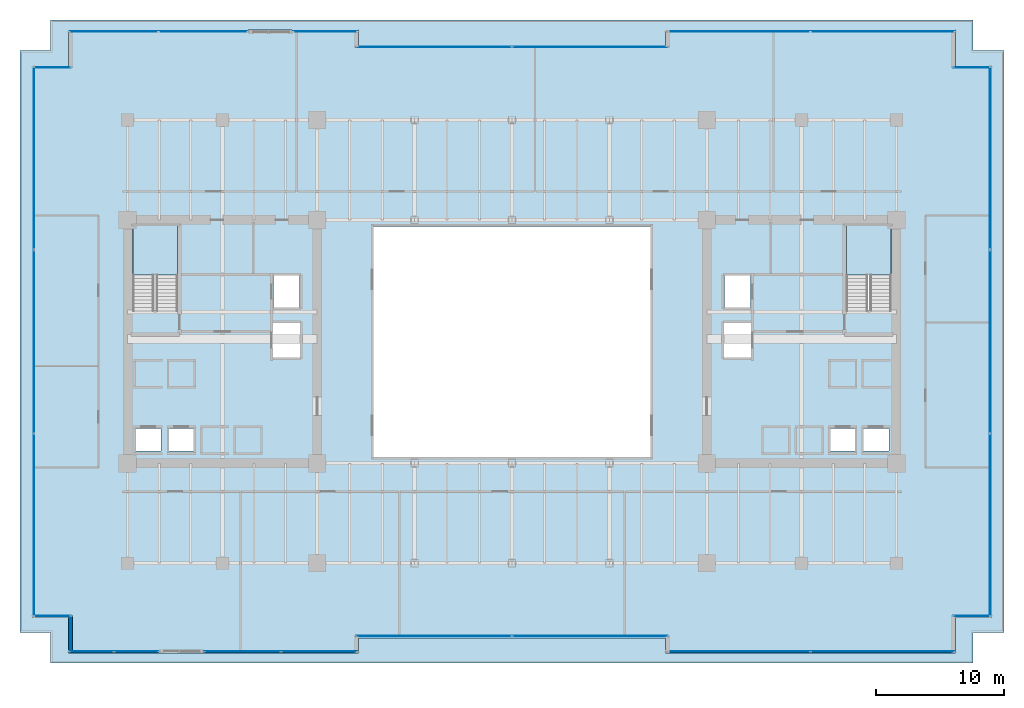
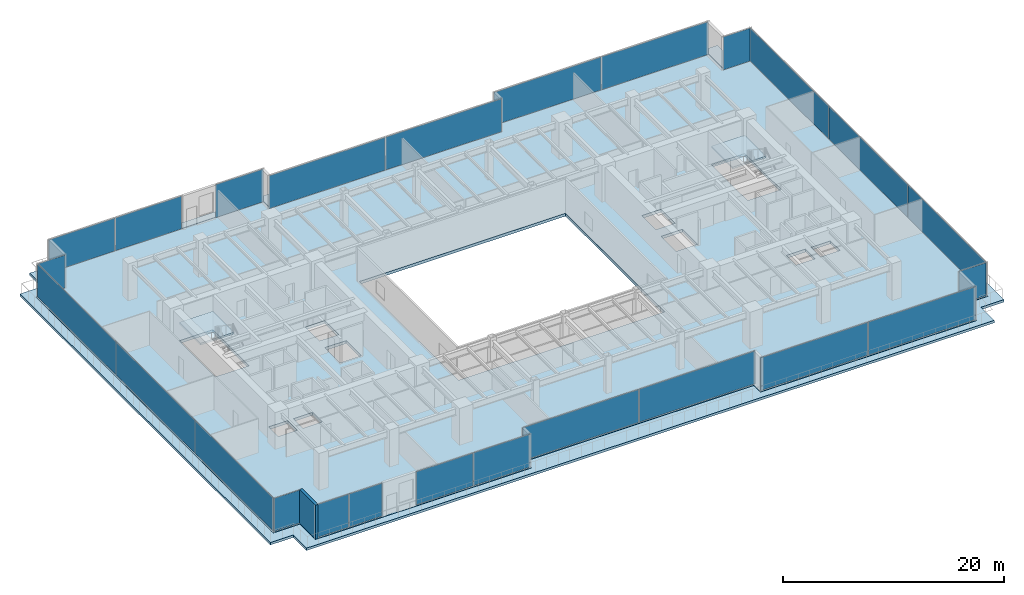
# One storey, part 28 of 36: 25 plates, 4 slabs, 1 wall, 16 elements without a shape of their own.
"""IFC4 building model written with IfcOpenShell, lengths in metres."""

from ifc_helpers import new_model, si_unit, direction, frame, frame_2d, origin, origin_2d, place, context, subcontext, project, spatial, polyline, rectangle, outline, extrude, source, transform, mapped, material, layer, layer_set, type_object, type_shapes, element, aggregate, save


model = new_model("IFC4")

# Units and contexts
model_context = context("Model", 3, precision=1e-05, world=origin(), true_north=direction((0.0, 1.0)))
body_context = subcontext(model_context, "Body", "Model", "MODEL_VIEW")
ifc_project = project(units=[si_unit("LENGTHUNIT", "METRE"), si_unit("AREAUNIT", "SQUARE_METRE"), si_unit("VOLUMEUNIT", "CUBIC_METRE"), si_unit("PLANEANGLEUNIT", "RADIAN"), si_unit("MASSUNIT", "GRAM", prefix="KILO")], contexts=[model_context])

# Site, building, storey
site_placement = place(None, origin())
site = spatial("IfcSite", under=ifc_project, at=site_placement, CompositionType="ELEMENT")
building_placement = place(site_placement, origin())
building = spatial("IfcBuilding", under=site, at=building_placement, Name="Haelvirn Gate Laboratories", CompositionType="ELEMENT")
storey_placement = place(building_placement, frame((0.0, 0.0, 25.199951171875)))
storey = spatial("IfcBuildingStorey", under=building, at=storey_placement, Name="L06", CompositionType="ELEMENT", Elevation=25.199951171875)

# Slab
ifc_material_1 = material(Name="Concrete C40/50", Category="concrete")
ifc_layer_1 = layer(ifc_material_1, 0.27001953125, Name="SL-SETB-270")
ifc_layer_set_1 = layer_set([ifc_layer_1], Name="Concrete C40/50")
slab_type_1 = type_object("IfcSlabType", Name="SL-SETB-270", PredefinedType="ROOF", material=ifc_layer_set_1)
slab_1_placement = place(storey_placement, frame((0.0, 0.0, -0.27001953125)))
element("IfcSlab", 1, at=slab_1_placement, inside=storey, type_object=slab_type_1, Name="L06 Setback Roof Terrace Deck 1", PredefinedType="ROOF", context=body_context, shape_type="SweptSolid", body=[
    extrude(outline(polyline([(1.39990234375, 1.60009765625), (-1.0, 1.60009765625), (-1.0, 47.0), (1.39990234375, 47.0), (1.39990234375, 49.39990234375), (73.39990234375, 49.39990234375), (73.39990234375, 47.0), (75.800048828125, 47.0), (75.800048828125, 1.60009765625), (73.39990234375, 1.60009765625), (73.39990234375, -0.800048828125), (1.39990234375, -0.800048828125), (1.39990234375, 1.60009765625)]), holes=[polyline([(2.780029296875, -0.001953125), (2.780517578125, -0.00390625), (2.781005859375, -0.005859375), (2.781494140625, -0.0078125), (2.782470703125, -0.009521484375), (2.783447265625, -0.010986328125), (2.784423828125, -0.0126953125), (2.785888671875, -0.01416015625), (2.787353515625, -0.015380859375), (2.788818359375, -0.0166015625), (2.79052734375, -0.017578125), (2.792236328125, -0.0185546875), (2.794189453125, -0.01904296875), (2.796142578125, -0.01953125), (2.798095703125, -0.02001953125), (2.800048828125, -0.02001953125), (25.39990234375, -0.02001953125), (25.402099609375, -0.02001953125), (25.40380859375, -0.01953125), (25.40576171875, -0.01904296875), (25.40771484375, -0.0185546875), (25.409423828125, -0.017578125), (25.4111328125, -0.0166015625), (25.41259765625, -0.015380859375), (25.4140625, -0.01416015625), (25.41552734375, -0.0126953125), (25.41650390625, -0.010986328125), (25.41748046875, -0.009521484375), (25.41845703125, -0.0078125), (25.419189453125, -0.005859375), (25.419677734375, -0.00390625), (25.419921875, -0.001953125), (25.419921875, 0.0), (25.419921875, 1.179931640625), (49.3798828125, 1.179931640625), (49.3798828125, 0.0), (49.380126953125, -0.001953125), (49.38037109375, -0.00390625), (49.380859375, -0.005859375), (49.381591796875, -0.0078125), (49.38232421875, -0.009521484375), (49.38330078125, -0.010986328125), (49.384521484375, -0.0126953125), (49.385986328125, -0.01416015625), (49.38720703125, -0.015380859375), (49.388916015625, -0.0166015625), (49.390625, -0.017578125), (49.392333984375, -0.0185546875), (49.394287109375, -0.01904296875), (49.39599609375, -0.01953125), (49.39794921875, -0.02001953125), (49.39990234375, -0.02001953125), (72.0, -0.02001953125), (72.001953125, -0.02001953125), (72.00390625, -0.01953125), (72.005859375, -0.01904296875), (72.0078125, -0.0185546875), (72.009521484375, -0.017578125), (72.010986328125, -0.0166015625), (72.0126953125, -0.015380859375), (72.01416015625, -0.01416015625), (72.015380859375, -0.0126953125), (72.0166015625, -0.010986328125), (72.017578125, -0.009521484375), (72.0185546875, -0.0078125), (72.01904296875, -0.005859375), (72.01953125, -0.00390625), (72.02001953125, -0.001953125), (72.02001953125, 0.0), (72.02001953125, 2.780029296875), (74.800048828125, 2.780029296875), (74.802001953125, 2.780029296875), (74.803955078125, 2.780517578125), (74.805908203125, 2.781005859375), (74.8076171875, 2.781494140625), (74.809326171875, 2.782470703125), (74.81103515625, 2.783447265625), (74.812744140625, 2.784423828125), (74.814208984375, 2.785888671875), (74.8154296875, 2.787353515625), (74.816650390625, 2.788818359375), (74.817626953125, 2.79052734375), (74.818603515625, 2.792236328125), (74.819091796875, 2.794189453125), (74.819580078125, 2.796142578125), (74.81982421875, 2.798095703125), (74.820068359375, 2.800048828125), (74.820068359375, 45.800048828125), (74.81982421875, 45.802001953125), (74.819580078125, 45.803955078125), (74.819091796875, 45.805908203125), (74.818603515625, 45.8076171875), (74.817626953125, 45.809326171875), (74.816650390625, 45.81103515625), (74.8154296875, 45.812744140625), (74.814208984375, 45.814208984375), (74.812744140625, 45.8154296875), (74.81103515625, 45.816650390625), (74.809326171875, 45.817626953125), (74.8076171875, 45.818603515625), (74.805908203125, 45.819091796875), (74.803955078125, 45.819580078125), (74.802001953125, 45.81982421875), (74.800048828125, 45.820068359375), (72.02001953125, 45.820068359375), (72.02001953125, 48.60009765625), (72.02001953125, 48.60205078125), (72.01953125, 48.60400390625), (72.01904296875, 48.605712890625), (72.0185546875, 48.607666015625), (72.017578125, 48.609375), (72.0166015625, 48.611083984375), (72.015380859375, 48.61279296875), (72.01416015625, 48.614013671875), (72.0126953125, 48.615478515625), (72.010986328125, 48.61669921875), (72.009521484375, 48.61767578125), (72.0078125, 48.618408203125), (72.005859375, 48.619140625), (72.00390625, 48.61962890625), (72.001953125, 48.619873046875), (72.0, 48.6201171875), (49.39990234375, 48.6201171875), (49.39794921875, 48.619873046875), (49.39599609375, 48.61962890625), (49.394287109375, 48.619140625), (49.392333984375, 48.618408203125), (49.390625, 48.61767578125), (49.388916015625, 48.61669921875), (49.38720703125, 48.615478515625), (49.385986328125, 48.614013671875), (49.384521484375, 48.61279296875), (49.38330078125, 48.611083984375), (49.38232421875, 48.609375), (49.381591796875, 48.607666015625), (49.380859375, 48.605712890625), (49.38037109375, 48.60400390625), (49.380126953125, 48.60205078125), (49.3798828125, 48.60009765625), (49.3798828125, 47.419921875), (25.419921875, 47.419921875), (25.419921875, 48.60009765625), (25.419921875, 48.60205078125), (25.419677734375, 48.60400390625), (25.419189453125, 48.605712890625), (25.41845703125, 48.607666015625), (25.41748046875, 48.609375), (25.41650390625, 48.611083984375), (25.41552734375, 48.61279296875), (25.4140625, 48.614013671875), (25.41259765625, 48.615478515625), (25.4111328125, 48.61669921875), (25.409423828125, 48.61767578125), (25.40771484375, 48.618408203125), (25.40576171875, 48.619140625), (25.40380859375, 48.61962890625), (25.402099609375, 48.619873046875), (25.39990234375, 48.6201171875), (2.800048828125, 48.6201171875), (2.798095703125, 48.619873046875), (2.796142578125, 48.61962890625), (2.794189453125, 48.619140625), (2.792236328125, 48.618408203125), (2.79052734375, 48.61767578125), (2.788818359375, 48.61669921875), (2.787353515625, 48.615478515625), (2.785888671875, 48.614013671875), (2.784423828125, 48.61279296875), (2.783447265625, 48.611083984375), (2.782470703125, 48.609375), (2.781494140625, 48.607666015625), (2.781005859375, 48.605712890625), (2.780517578125, 48.60400390625), (2.780029296875, 48.60205078125), (2.780029296875, 48.60009765625), (2.780029296875, 45.820068359375), (0.0, 45.820068359375), (-0.001953125, 45.81982421875), (-0.00390625, 45.819580078125), (-0.005859375, 45.819091796875), (-0.0078125, 45.818603515625), (-0.009521484375, 45.817626953125), (-0.010986328125, 45.816650390625), (-0.0126953125, 45.8154296875), (-0.01416015625, 45.814208984375), (-0.015380859375, 45.812744140625), (-0.0166015625, 45.81103515625), (-0.017578125, 45.809326171875), (-0.0185546875, 45.8076171875), (-0.01904296875, 45.805908203125), (-0.01953125, 45.803955078125), (-0.02001953125, 45.802001953125), (-0.02001953125, 45.800048828125), (-0.02001953125, 2.800048828125), (-0.02001953125, 2.798095703125), (-0.01953125, 2.796142578125), (-0.01904296875, 2.794189453125), (-0.0185546875, 2.792236328125), (-0.017578125, 2.79052734375), (-0.0166015625, 2.788818359375), (-0.015380859375, 2.787353515625), (-0.01416015625, 2.785888671875), (-0.0126953125, 2.784423828125), (-0.010986328125, 2.783447265625), (-0.009521484375, 2.782470703125), (-0.0078125, 2.781494140625), (-0.005859375, 2.781005859375), (-0.00390625, 2.780517578125), (-0.001953125, 2.780029296875), (0.0, 2.780029296875), (2.780029296875, 2.780029296875), (2.780029296875, 0.0), (2.780029296875, -0.001953125)])]), origin(), (0.0, 0.0, 1.0), 0.27001953125),
])

# Stair, slab
stair_type = type_object("IfcStairType", Name="ST-DOG-1650-R22", PredefinedType="HALF_TURN_STAIR", material=ifc_material_1)
stair_1_placement = place(storey_placement, origin())
stair_1 = element("IfcStair", 2, at=stair_1_placement, inside=storey, type_object=stair_type, Name="L06 Escape Stair ST1", PredefinedType="HALF_TURN_STAIR")
ifc_layer_2 = layer(ifc_material_1, 0.199951171875, Name="SL-STAIR-LND")
ifc_layer_set_2 = layer_set([ifc_layer_2], Name="Concrete C40/50")
slab_type_2 = type_object("IfcSlabType", Name="SL-STAIR-LND", PredefinedType="LANDING", material=ifc_layer_set_2)
slab_2_placement = place(storey_placement, frame((0.0, 0.0, 1.85009765625)))
slab_2 = element("IfcSlab", 3, at=slab_2_placement, type_object=slab_type_2, Name="ST1 landing 1", PredefinedType="LANDING", context=body_context, shape_type="SweptSolid", body=[
    extrude(outline(polyline([(11.300048828125, 29.5), (11.300048828125, 33.35009765625), (7.800048828125, 33.35009765625), (7.800048828125, 29.5), (11.300048828125, 29.5)])), origin(), (0.0, 0.0, 1.0), 0.199951171875),
])
aggregate(stair_1, [slab_2])

stair_2_placement = place(storey_placement, origin())
stair_2 = element("IfcStair", 4, at=stair_2_placement, inside=storey, type_object=stair_type, Name="L06 Escape Stair ST2", PredefinedType="HALF_TURN_STAIR")
slab_3_placement = place(storey_placement, frame((0.0, 0.0, 1.85009765625)))
slab_3 = element("IfcSlab", 5, at=slab_3_placement, type_object=slab_type_2, Name="ST2 landing 1", PredefinedType="LANDING", context=body_context, shape_type="SweptSolid", body=[
    extrude(outline(polyline([(67.0, 29.5), (67.0, 33.35009765625), (63.5, 33.35009765625), (63.5, 29.5), (67.0, 29.5)])), origin(), (0.0, 0.0, 1.0), 0.199951171875),
])
aggregate(stair_2, [slab_3])

# Slab
ifc_material_2 = material(Name="Concrete C50/60", Category="concrete")
ifc_layer_3 = layer(ifc_material_2, 0.320068359375, Name="SL-Z1-320")
ifc_layer_set_3 = layer_set([ifc_layer_3], Name="Concrete C50/60")
slab_type_3 = type_object("IfcSlabType", Name="SL-Z1-320", PredefinedType="FLOOR", material=ifc_layer_set_3)
slab_4_placement = place(storey_placement, frame((0.0, 0.0, -0.320068359375)))
element("IfcSlab", 6, at=slab_4_placement, inside=storey, type_object=slab_type_3, Name="L06 Structural Slab MAIN", PredefinedType="FLOOR", context=body_context, shape_type="SweptSolid", body=[
    extrude(outline(polyline([(2.800048828125, 0.0), (25.39990234375, 0.0), (25.39990234375, 1.199951171875), (49.39990234375, 1.199951171875), (49.39990234375, 0.0), (72.0, 0.0), (72.0, 2.800048828125), (74.800048828125, 2.800048828125), (74.800048828125, 45.800048828125), (72.0, 45.800048828125), (72.0, 48.60009765625), (49.39990234375, 48.60009765625), (49.39990234375, 47.39990234375), (25.39990234375, 47.39990234375), (25.39990234375, 48.60009765625), (2.800048828125, 48.60009765625), (2.800048828125, 45.800048828125), (0.0, 45.800048828125), (0.0, 2.800048828125), (2.800048828125, 2.800048828125), (2.800048828125, 0.0)]), holes=[polyline([(26.60009765625, 15.300048828125), (48.199951171875, 15.300048828125), (48.199951171875, 33.300048828125), (26.60009765625, 33.300048828125), (26.60009765625, 15.300048828125)]), polyline([(11.300048828125, 26.780029296875), (11.300048828125, 33.35009765625), (7.800048828125, 33.35009765625), (7.800048828125, 26.780029296875), (11.300048828125, 26.780029296875)]), polyline([(67.0, 26.780029296875), (67.0, 33.35009765625), (63.5, 33.35009765625), (63.5, 26.780029296875), (67.0, 26.780029296875)]), polyline([(7.989990234375, 15.77001953125), (10.010009765625, 15.77001953125), (10.010009765625, 17.510009765625), (7.989990234375, 17.510009765625), (7.989990234375, 15.77001953125)]), polyline([(10.590087890625, 15.77001953125), (12.610107421875, 15.77001953125), (12.610107421875, 17.510009765625), (10.590087890625, 17.510009765625), (10.590087890625, 15.77001953125)]), polyline([(18.7900390625, 26.969970703125), (20.81005859375, 26.969970703125), (20.81005859375, 29.510009765625), (18.7900390625, 29.510009765625), (18.7900390625, 26.969970703125)]), polyline([(18.68994140625, 23.070068359375), (20.909912109375, 23.070068359375), (20.909912109375, 25.81005859375), (18.68994140625, 25.81005859375), (18.68994140625, 23.070068359375)]), polyline([(64.7900390625, 15.77001953125), (66.81005859375, 15.77001953125), (66.81005859375, 17.510009765625), (64.7900390625, 17.510009765625), (64.7900390625, 15.77001953125)]), polyline([(62.18994140625, 15.77001953125), (64.2099609375, 15.77001953125), (64.2099609375, 17.510009765625), (62.18994140625, 17.510009765625), (62.18994140625, 15.77001953125)]), polyline([(53.989990234375, 26.969970703125), (56.010009765625, 26.969970703125), (56.010009765625, 29.510009765625), (53.989990234375, 29.510009765625), (53.989990234375, 26.969970703125)]), polyline([(53.889892578125, 23.070068359375), (56.110107421875, 23.070068359375), (56.110107421875, 25.81005859375), (53.889892578125, 25.81005859375), (53.889892578125, 23.070068359375)])]), origin(), (0.0, 0.0, 1.0), 0.320068359375),
])

# Curtain wall, plates
ifc_material_3 = material(Name="Anodised bronze unitised aluminium & triple low-E glass", Category="aluminium")
ifc_layer_4 = layer(ifc_material_3, 0.18408203125, Name="CW-SYS-2")
ifc_layer_set_4 = layer_set([ifc_layer_4], Name="Anodised bronze unitised aluminium & triple low-E glass")
curtain_wall_type_1 = type_object("IfcCurtainWallType", Name="CW-SYS-2", PredefinedType="NOTDEFINED", material=ifc_layer_set_4)
curtain_wall_1_placement = place(storey_placement, origin())
curtain_wall_1 = element("IfcCurtainWall", 7, at=curtain_wall_1_placement, inside=storey, type_object=curtain_wall_type_1, Name="L06 Unitised Curtain Wall CW-L06-P0-E00-1", PredefinedType="NOTDEFINED")
ifc_material_4 = material(Name="Bronze solar-control triple low-E IGU 44 mm", Category="glass")
ifc_layer_5 = layer(ifc_material_4, 0.0439453125, Name="CWP-IGU-44")
ifc_layer_set_5 = layer_set([ifc_layer_5], Name="Bronze solar-control triple low-E IGU 44 mm")
plate_type_1 = type_object("IfcPlateType", Name="CWP-IGU-44", PredefinedType="CURTAIN_PANEL", material=ifc_layer_set_5)
shared_shape_1 = source(origin(), body_context, "Body", "SweptSolid", [
    extrude(rectangle(XDim=3.422607421875, YDim=0.0439453125, at=origin_2d()), origin(), (0.0, 0.0, 1.0), 3.639892578125),
])
plate_1_placement = place(storey_placement, frame((4.586181640625, 0.10009765625, 0.0703125), z_axis=(0.0, 0.0, 1.0), x_axis=(1.0, 0.0, 0.0)))
plate_1 = element("IfcPlate", 8, at=plate_1_placement, type_object=plate_type_1, Name="CW2 panel 1.1", PredefinedType="CURTAIN_PANEL", context=body_context, shape_type="MappedRepresentation", body=[
    mapped(shared_shape_1, transform((0.0, 0.0, 0.0), scale=1.0)),
])
plate_2_placement = place(storey_placement, frame((8.083740234375, 0.10009765625, 0.0703125), z_axis=(0.0, 0.0, 1.0), x_axis=(1.0, 0.0, 0.0)))
plate_2 = element("IfcPlate", 9, at=plate_2_placement, type_object=plate_type_1, Name="CW2 panel 2.1", PredefinedType="CURTAIN_PANEL", context=body_context, shape_type="MappedRepresentation", body=[
    mapped(shared_shape_1, transform((0.0, 0.0, 0.0), scale=1.0)),
])
aggregate(curtain_wall_1, [plate_1, plate_2])

curtain_wall_2_placement = place(storey_placement, origin())
curtain_wall_2 = element("IfcCurtainWall", 10, at=curtain_wall_2_placement, inside=storey, type_object=curtain_wall_type_1, Name="L06 Unitised Curtain Wall CW-L06-P0-E00-2", PredefinedType="NOTDEFINED")
shared_shape_2 = source(origin(), body_context, "Body", "SweptSolid", [
    extrude(rectangle(XDim=5.9326171875, YDim=0.0439453125, at=origin_2d()), origin(), (0.0, 0.0, 1.0), 3.639892578125),
])
plate_3_placement = place(storey_placement, frame((16.351318359375, 0.10009765625, 0.0703125), z_axis=(0.0, 0.0, 1.0), x_axis=(1.0, 0.0, 0.0)))
plate_3 = element("IfcPlate", 11, at=plate_3_placement, type_object=plate_type_1, Name="CW2 panel 1.1", PredefinedType="CURTAIN_PANEL", context=body_context, shape_type="MappedRepresentation", body=[
    mapped(shared_shape_2, transform((0.0, 0.0, 0.0), scale=1.0)),
])
plate_4_placement = place(storey_placement, frame((22.358642578125, 0.10009765625, 0.0703125), z_axis=(0.0, 0.0, 1.0), x_axis=(1.0, 0.0, 0.0)))
plate_4 = element("IfcPlate", 12, at=plate_4_placement, type_object=plate_type_1, Name="CW2 panel 2.1", PredefinedType="CURTAIN_PANEL", context=body_context, shape_type="MappedRepresentation", body=[
    mapped(shared_shape_2, transform((0.0, 0.0, 0.0), scale=1.0)),
])
aggregate(curtain_wall_2, [plate_3, plate_4])

curtain_wall_3_placement = place(storey_placement, origin())
curtain_wall_3 = element("IfcCurtainWall", 13, at=curtain_wall_3_placement, inside=storey, type_object=curtain_wall_type_1, Name="L06 Unitised Curtain Wall CW-L06-P0-E02-1", PredefinedType="NOTDEFINED")
shared_shape_3 = source(origin(), body_context, "Body", "SweptSolid", [
    extrude(rectangle(XDim=12.12744140625, YDim=0.0439453125, at=origin_2d()), origin(), (0.0, 0.0, 1.0), 3.639892578125),
])
plate_5_placement = place(storey_placement, frame((31.298828125, 1.300048828125, 0.0703125), z_axis=(0.0, 0.0, 1.0), x_axis=(1.0, 0.0, 0.0)))
plate_5 = element("IfcPlate", 14, at=plate_5_placement, type_object=plate_type_1, Name="CW2 panel 1.1", PredefinedType="CURTAIN_PANEL", context=body_context, shape_type="MappedRepresentation", body=[
    mapped(shared_shape_3, transform((0.0, 0.0, 0.0), scale=1.0)),
])
plate_6_placement = place(storey_placement, frame((43.501220703125, 1.300048828125, 0.0703125), z_axis=(0.0, 0.0, 1.0), x_axis=(1.0, 0.0, 0.0)))
plate_6 = element("IfcPlate", 15, at=plate_6_placement, type_object=plate_type_1, Name="CW2 panel 2.1", PredefinedType="CURTAIN_PANEL", context=body_context, shape_type="MappedRepresentation", body=[
    mapped(shared_shape_3, transform((0.0, 0.0, 0.0), scale=1.0)),
])
aggregate(curtain_wall_3, [plate_5, plate_6])

curtain_wall_4_placement = place(storey_placement, origin())
curtain_wall_4 = element("IfcCurtainWall", 16, at=curtain_wall_4_placement, inside=storey, type_object=curtain_wall_type_1, Name="L06 Unitised Curtain Wall CW-L06-P0-E12-1", PredefinedType="NOTDEFINED")
plate_7_placement = place(storey_placement, frame((31.298828125, 47.300048828125, 0.0703125), z_axis=(0.0, 0.0, 1.0), x_axis=(1.0, 0.0, 0.0)))
plate_7 = element("IfcPlate", 17, at=plate_7_placement, type_object=plate_type_1, Name="CW2 panel 1.1", PredefinedType="CURTAIN_PANEL", context=body_context, shape_type="MappedRepresentation", body=[
    mapped(shared_shape_3, transform((0.0, 0.0, 0.0), scale=1.0)),
])
plate_8_placement = place(storey_placement, frame((43.501220703125, 47.300048828125, 0.0703125), z_axis=(0.0, 0.0, 1.0), x_axis=(1.0, 0.0, 0.0)))
plate_8 = element("IfcPlate", 18, at=plate_8_placement, type_object=plate_type_1, Name="CW2 panel 2.1", PredefinedType="CURTAIN_PANEL", context=body_context, shape_type="MappedRepresentation", body=[
    mapped(shared_shape_3, transform((0.0, 0.0, 0.0), scale=1.0)),
])
aggregate(curtain_wall_4, [plate_7, plate_8])

curtain_wall_5_placement = place(storey_placement, origin())
curtain_wall_5 = element("IfcCurtainWall", 19, at=curtain_wall_5_placement, inside=storey, type_object=curtain_wall_type_1, Name="L06 Unitised Curtain Wall CW-L06-P0-E04-1", PredefinedType="NOTDEFINED")
shared_shape_4 = source(origin(), body_context, "Body", "SweptSolid", [
    extrude(rectangle(XDim=11.1875, YDim=0.0439453125, at=origin_2d()), origin(), (0.0, 0.0, 1.0), 3.639892578125),
])
plate_9_placement = place(storey_placement, frame((55.06884765625, 0.10009765625, 0.0703125), z_axis=(0.0, 0.0, 1.0), x_axis=(1.0, 0.0, 0.0)))
plate_9 = element("IfcPlate", 20, at=plate_9_placement, type_object=plate_type_1, Name="CW2 panel 1.1", PredefinedType="CURTAIN_PANEL", context=body_context, shape_type="MappedRepresentation", body=[
    mapped(shared_shape_4, transform((0.0, 0.0, 0.0), scale=1.0)),
])
plate_10_placement = place(storey_placement, frame((66.331298828125, 0.10009765625, 0.0703125), z_axis=(0.0, 0.0, 1.0), x_axis=(1.0, 0.0, 0.0)))
plate_10 = element("IfcPlate", 21, at=plate_10_placement, type_object=plate_type_1, Name="CW2 panel 2.1", PredefinedType="CURTAIN_PANEL", context=body_context, shape_type="MappedRepresentation", body=[
    mapped(shared_shape_4, transform((0.0, 0.0, 0.0), scale=1.0)),
])
aggregate(curtain_wall_5, [plate_9, plate_10])

curtain_wall_6_placement = place(storey_placement, origin())
curtain_wall_6 = element("IfcCurtainWall", 22, at=curtain_wall_6_placement, inside=storey, type_object=curtain_wall_type_1, Name="L06 Unitised Curtain Wall CW-L06-P0-E10-1", PredefinedType="NOTDEFINED")
plate_11_placement = place(storey_placement, frame((55.06884765625, 48.5, 0.0703125), z_axis=(0.0, 0.0, 1.0), x_axis=(1.0, 0.0, 0.0)))
plate_11 = element("IfcPlate", 23, at=plate_11_placement, type_object=plate_type_1, Name="CW2 panel 1.1", PredefinedType="CURTAIN_PANEL", context=body_context, shape_type="MappedRepresentation", body=[
    mapped(shared_shape_4, transform((0.0, 0.0, 0.0), scale=1.0)),
])
plate_12_placement = place(storey_placement, frame((66.331298828125, 48.5, 0.0703125), z_axis=(0.0, 0.0, 1.0), x_axis=(1.0, 0.0, 0.0)))
plate_12 = element("IfcPlate", 24, at=plate_12_placement, type_object=plate_type_1, Name="CW2 panel 2.1", PredefinedType="CURTAIN_PANEL", context=body_context, shape_type="MappedRepresentation", body=[
    mapped(shared_shape_4, transform((0.0, 0.0, 0.0), scale=1.0)),
])
aggregate(curtain_wall_6, [plate_11, plate_12])

# Curtain wall, plate
ifc_layer_6 = layer(ifc_material_3, 0.181884765625, Name="CW-SYS-5")
ifc_layer_set_6 = layer_set([ifc_layer_6], Name="Anodised bronze unitised aluminium & triple low-E glass")
curtain_wall_type_2 = type_object("IfcCurtainWallType", Name="CW-SYS-5", PredefinedType="NOTDEFINED", material=ifc_layer_set_6)
curtain_wall_7_placement = place(storey_placement, origin())
curtain_wall_7 = element("IfcCurtainWall", 25, at=curtain_wall_7_placement, inside=storey, type_object=curtain_wall_type_2, Name="L06 Unitised Curtain Wall CW-L06-P0-E06-1", PredefinedType="NOTDEFINED")
ifc_material_5 = material(Name="Clear low-iron notched-corner triple IGU 42 mm", Category="glass")
ifc_layer_7 = layer(ifc_material_5, 0.0419921875, Name="CWP-NTC-42")
ifc_layer_set_7 = layer_set([ifc_layer_7], Name="Clear low-iron notched-corner triple IGU 42 mm")
plate_type_2 = type_object("IfcPlateType", Name="CWP-NTC-42", PredefinedType="CURTAIN_PANEL", material=ifc_layer_set_7)
shared_shape_5 = source(origin(), body_context, "Body", "SweptSolid", [
    extrude(rectangle(XDim=2.8798828125, YDim=0.0419921875, at=origin_2d()), origin(), (0.0, 0.0, 1.0), 3.64990234375),
])
type_shapes(plate_type_2, [shared_shape_5])
plate_13_placement = place(storey_placement, frame((73.280029296875, 2.89990234375, 0.065185546875), z_axis=(0.0, 0.0, 1.0), x_axis=(1.0, 0.0, 0.0)))
plate_13 = element("IfcPlate", 26, at=plate_13_placement, type_object=plate_type_2, Name="CW5 panel 1.1", PredefinedType="CURTAIN_PANEL", context=body_context, shape_type="MappedRepresentation", body=[
    mapped(shared_shape_5, transform((0.0, 0.0, 0.0), scale=1.0)),
])
aggregate(curtain_wall_7, [plate_13])

curtain_wall_8_placement = place(storey_placement, origin())
curtain_wall_8 = element("IfcCurtainWall", 27, at=curtain_wall_8_placement, inside=storey, type_object=curtain_wall_type_2, Name="L06 Unitised Curtain Wall CW-L06-P0-E08-1", PredefinedType="NOTDEFINED")
plate_14_placement = place(storey_placement, frame((73.280029296875, 45.699951171875, 0.065185546875), z_axis=(0.0, 0.0, 1.0), x_axis=(1.0, 0.0, 0.0)))
plate_14 = element("IfcPlate", 28, at=plate_14_placement, type_object=plate_type_2, Name="CW5 panel 1.1", PredefinedType="CURTAIN_PANEL", context=body_context, shape_type="MappedRepresentation", body=[
    mapped(shared_shape_5, transform((0.0, 0.0, 0.0), scale=1.0)),
])
aggregate(curtain_wall_8, [plate_14])

curtain_wall_9_placement = place(storey_placement, origin())
curtain_wall_9 = element("IfcCurtainWall", 29, at=curtain_wall_9_placement, inside=storey, type_object=curtain_wall_type_2, Name="L06 Unitised Curtain Wall CW-L06-P0-E16-1", PredefinedType="NOTDEFINED")
plate_15_placement = place(storey_placement, frame((1.52001953125, 45.699951171875, 0.065185546875), z_axis=(0.0, 0.0, 1.0), x_axis=(1.0, 0.0, 0.0)))
plate_15 = element("IfcPlate", 30, at=plate_15_placement, type_object=plate_type_2, Name="CW5 panel 1.1", PredefinedType="CURTAIN_PANEL", context=body_context, shape_type="MappedRepresentation", body=[
    mapped(shared_shape_5, transform((0.0, 0.0, 0.0), scale=1.0)),
])
aggregate(curtain_wall_9, [plate_15])

curtain_wall_10_placement = place(storey_placement, origin())
curtain_wall_10 = element("IfcCurtainWall", 31, at=curtain_wall_10_placement, inside=storey, type_object=curtain_wall_type_2, Name="L06 Unitised Curtain Wall CW-L06-P0-E18-1", PredefinedType="NOTDEFINED")
plate_16_placement = place(storey_placement, frame((1.52001953125, 2.89990234375, 0.065185546875), z_axis=(0.0, 0.0, 1.0), x_axis=(1.0, 0.0, 0.0)))
plate_16 = element("IfcPlate", 32, at=plate_16_placement, type_object=plate_type_2, Name="CW5 panel 1.1", PredefinedType="CURTAIN_PANEL", context=body_context, shape_type="MappedRepresentation", body=[
    mapped(shared_shape_5, transform((0.0, 0.0, 0.0), scale=1.0)),
])
aggregate(curtain_wall_10, [plate_16])

# Curtain wall, plates
curtain_wall_11_placement = place(storey_placement, origin())
curtain_wall_11 = element("IfcCurtainWall", 33, at=curtain_wall_11_placement, inside=storey, type_object=curtain_wall_type_1, Name="L06 Unitised Curtain Wall CW-L06-P0-E07", PredefinedType="NOTDEFINED")
shared_shape_6 = source(origin(), body_context, "Body", "SweptSolid", [
    extrude(rectangle(XDim=14.220947265625, YDim=0.0439453125, at=origin_2d()), origin(), (0.0, 0.0, 1.0), 3.639892578125),
])
plate_17_placement = place(storey_placement, frame((74.699951171875, 9.9853515625, 0.0703125), z_axis=(0.0, 0.0, 1.0), x_axis=(0.0, 1.0, 0.0)))
plate_17 = element("IfcPlate", 34, at=plate_17_placement, type_object=plate_type_1, Name="CW2 panel 1.1", PredefinedType="CURTAIN_PANEL", context=body_context, shape_type="MappedRepresentation", body=[
    mapped(shared_shape_6, transform((0.0, 0.0, 0.0), scale=1.0)),
])
plate_18_placement = place(storey_placement, frame((74.699951171875, 38.614501953125, 0.0703125), z_axis=(0.0, 0.0, 1.0), x_axis=(0.0, 1.0, 0.0)))
plate_18 = element("IfcPlate", 35, at=plate_18_placement, type_object=plate_type_1, Name="CW2 panel 3.1", PredefinedType="CURTAIN_PANEL", context=body_context, shape_type="MappedRepresentation", body=[
    mapped(shared_shape_6, transform((0.0, 0.0, 0.0), scale=1.0)),
])

curtain_wall_12_placement = place(storey_placement, origin())
curtain_wall_12 = element("IfcCurtainWall", 36, at=curtain_wall_12_placement, inside=storey, type_object=curtain_wall_type_1, Name="L06 Unitised Curtain Wall CW-L06-P0-E17", PredefinedType="NOTDEFINED")
plate_19_placement = place(storey_placement, frame((0.10009765625, 38.614501953125, 0.0703125), z_axis=(0.0, 0.0, 1.0), x_axis=(0.0, -1.0, 0.0)))
plate_19 = element("IfcPlate", 37, at=plate_19_placement, type_object=plate_type_1, Name="CW2 panel 1.1", PredefinedType="CURTAIN_PANEL", context=body_context, shape_type="MappedRepresentation", body=[
    mapped(shared_shape_6, transform((0.0, 0.0, 0.0), scale=1.0)),
])
plate_20_placement = place(storey_placement, frame((0.10009765625, 9.9853515625, 0.0703125), z_axis=(0.0, 0.0, 1.0), x_axis=(0.0, -1.0, 0.0)))
plate_20 = element("IfcPlate", 38, at=plate_20_placement, type_object=plate_type_1, Name="CW2 panel 3.1", PredefinedType="CURTAIN_PANEL", context=body_context, shape_type="MappedRepresentation", body=[
    mapped(shared_shape_6, transform((0.0, 0.0, 0.0), scale=1.0)),
])

# Plate
shared_shape_7 = source(origin(), body_context, "Body", "SweptSolid", [
    extrude(rectangle(XDim=14.25830078125, YDim=0.0439453125, at=origin_2d()), origin(), (0.0, 0.0, 1.0), 3.639892578125),
])
plate_21_placement = place(storey_placement, frame((74.699951171875, 24.300048828125, 0.0703125), z_axis=(0.0, 0.0, 1.0), x_axis=(0.0, 1.0, 0.0)))
plate_21 = element("IfcPlate", 39, at=plate_21_placement, type_object=plate_type_1, Name="CW2 panel 2.1", PredefinedType="CURTAIN_PANEL", context=body_context, shape_type="MappedRepresentation", body=[
    mapped(shared_shape_7, transform((0.0, 0.0, 0.0), scale=1.0)),
])

aggregate(curtain_wall_11, [plate_17, plate_21, plate_18])

plate_22_placement = place(storey_placement, frame((0.10009765625, 24.300048828125, 0.0703125), z_axis=(0.0, 0.0, 1.0), x_axis=(0.0, -1.0, 0.0)))
plate_22 = element("IfcPlate", 40, at=plate_22_placement, type_object=plate_type_1, Name="CW2 panel 2.1", PredefinedType="CURTAIN_PANEL", context=body_context, shape_type="MappedRepresentation", body=[
    mapped(shared_shape_7, transform((0.0, 0.0, 0.0), scale=1.0)),
])

aggregate(curtain_wall_12, [plate_19, plate_22, plate_20])

# Curtain wall, plates
curtain_wall_13_placement = place(storey_placement, origin())
curtain_wall_13 = element("IfcCurtainWall", 41, at=curtain_wall_13_placement, inside=storey, type_object=curtain_wall_type_1, Name="L06 Unitised Curtain Wall CW-L06-P0-E14-1", PredefinedType="NOTDEFINED")
shared_shape_8 = source(origin(), body_context, "Body", "SweptSolid", [
    extrude(rectangle(XDim=6.902587890625, YDim=0.0439453125, at=origin_2d()), origin(), (0.0, 0.0, 1.0), 3.639892578125),
])
plate_23_placement = place(storey_placement, frame((6.326171875, 48.5, 0.0703125), z_axis=(0.0, 0.0, 1.0), x_axis=(1.0, 0.0, 0.0)))
plate_23 = element("IfcPlate", 42, at=plate_23_placement, type_object=plate_type_1, Name="CW2 panel 1.1", PredefinedType="CURTAIN_PANEL", context=body_context, shape_type="MappedRepresentation", body=[
    mapped(shared_shape_8, transform((0.0, 0.0, 0.0), scale=1.0)),
])
plate_24_placement = place(storey_placement, frame((13.3037109375, 48.5, 0.0703125), z_axis=(0.0, 0.0, 1.0), x_axis=(1.0, 0.0, 0.0)))
plate_24 = element("IfcPlate", 43, at=plate_24_placement, type_object=plate_type_1, Name="CW2 panel 2.1", PredefinedType="CURTAIN_PANEL", context=body_context, shape_type="MappedRepresentation", body=[
    mapped(shared_shape_8, transform((0.0, 0.0, 0.0), scale=1.0)),
])
aggregate(curtain_wall_13, [plate_23, plate_24])

# Curtain wall, plate
curtain_wall_14_placement = place(storey_placement, origin())
curtain_wall_14 = element("IfcCurtainWall", 44, at=curtain_wall_14_placement, inside=storey, type_object=curtain_wall_type_1, Name="L06 Unitised Curtain Wall CW-L06-P0-E14-2", PredefinedType="NOTDEFINED")
shared_shape_9 = source(origin(), body_context, "Body", "SweptSolid", [
    extrude(rectangle(XDim=4.97998046875, YDim=0.0439453125, at=origin_2d()), origin(), (0.0, 0.0, 1.0), 3.639892578125),
])
type_shapes(plate_type_1, [shared_shape_1, shared_shape_2, shared_shape_3, shared_shape_4, shared_shape_6, shared_shape_7, shared_shape_8, shared_shape_9])
plate_25_placement = place(storey_placement, frame((22.8349609375, 48.5, 0.0703125), z_axis=(0.0, 0.0, 1.0), x_axis=(1.0, 0.0, 0.0)))
plate_25 = element("IfcPlate", 45, at=plate_25_placement, type_object=plate_type_1, Name="CW2 panel 1.1", PredefinedType="CURTAIN_PANEL", context=body_context, shape_type="MappedRepresentation", body=[
    mapped(shared_shape_9, transform((0.0, 0.0, 0.0), scale=1.0)),
])
aggregate(curtain_wall_14, [plate_25])

# Wall
ifc_material_6 = material(Name="Thermally-broken bronze aluminium rainscreen & mineral wool", Category="aluminium")
ifc_layer_8 = layer(ifc_material_6, 0.280029296875, Name="EW-TERR-280")
ifc_layer_set_8 = layer_set([ifc_layer_8], Name="Thermally-broken bronze aluminium rainscreen & mineral wool")
wall_type = type_object("IfcWallType", Name="EW-TERR-280", PredefinedType="STANDARD", material=ifc_layer_set_8)
wall_placement = place(storey_placement, frame((2.93994140625, 2.887939453125, 0.0), z_axis=(0.0, 0.0, 1.0), x_axis=(0.0, -1.0, 0.0)))
element("IfcWall", 46, at=wall_placement, inside=storey, type_object=wall_type, Name="L06 Atrium Recess Bronze Return Wall 19", PredefinedType="STANDARD", context=body_context, shape_type="SweptSolid", body=[
    extrude(rectangle(XDim=2.887939453125, YDim=0.280029296875, at=frame_2d((1.44384765625, 0.0))), origin(), (0.0, 0.0, 1.0), 3.780029296875),
])

save(model, "model.ifc")
